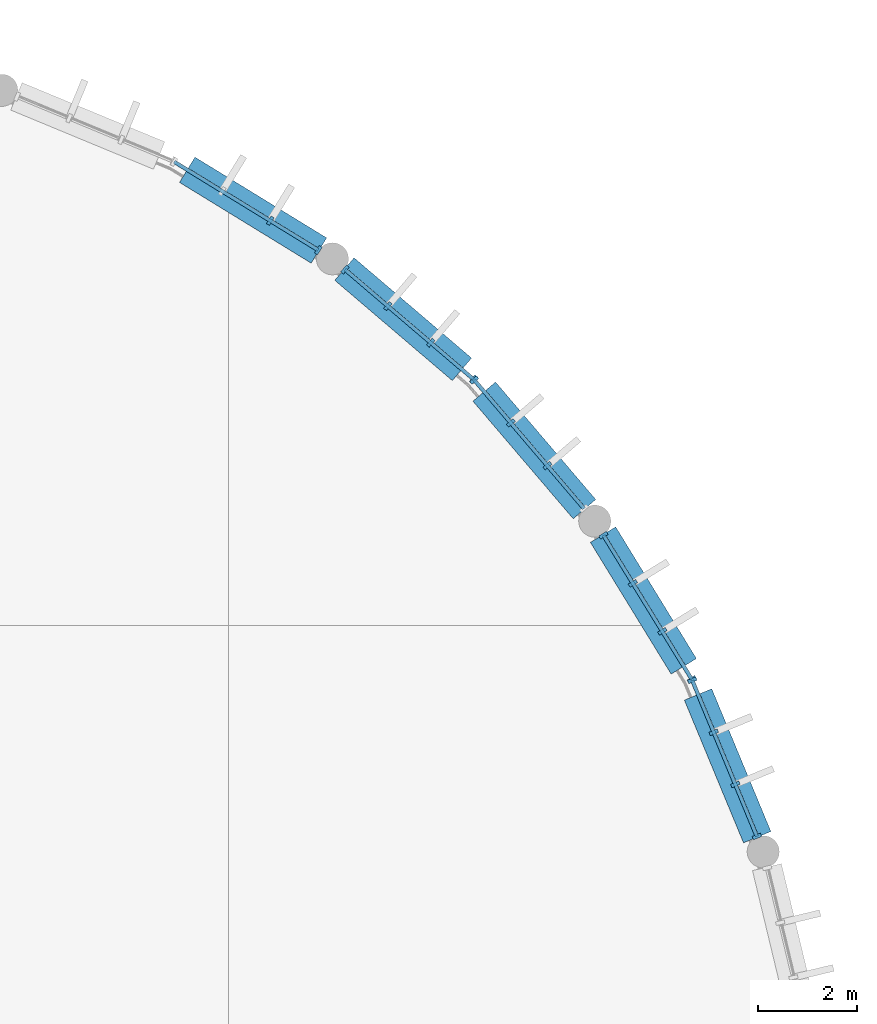
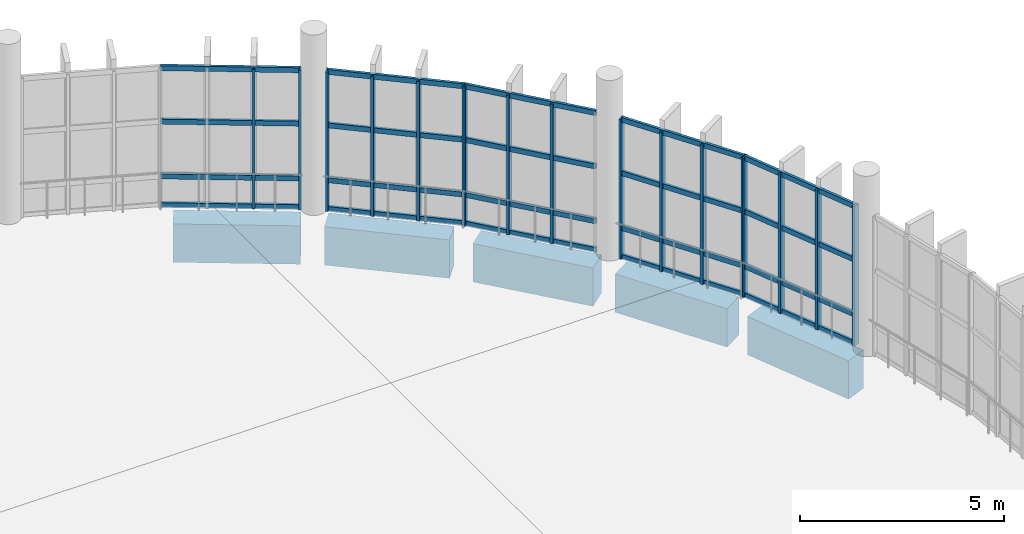
# One storey, part 57 of 112: 37 members, 5 beams, 5 elements without a shape of their own.
"""IFC4 building model written with IfcOpenShell, lengths in metres."""

from ifc_helpers import new_model, si_unit, direction, frame, origin, origin_2d, place, context, subcontext, project, spatial, rectangle, extrude, material, material_profile, profile_set, type_object, element, aggregate, save


model = new_model("IFC4")

# Units and contexts
model_context = context("Model", 3, precision=1e-05, world=origin(), true_north=direction((0.0, 1.0)))
body_context = subcontext(model_context, "Body", "Model", "MODEL_VIEW")
ifc_project = project(units=[si_unit("LENGTHUNIT", "METRE"), si_unit("AREAUNIT", "SQUARE_METRE"), si_unit("VOLUMEUNIT", "CUBIC_METRE"), si_unit("PLANEANGLEUNIT", "RADIAN"), si_unit("MASSUNIT", "GRAM", prefix="KILO")], contexts=[model_context])

# Site, building, storey
site_placement = place(None, origin())
site = spatial("IfcSite", under=ifc_project, at=site_placement, CompositionType="ELEMENT")
building_placement = place(site_placement, origin())
building = spatial("IfcBuilding", under=site, at=building_placement, Name="Kamomehara Wholesale Market", CompositionType="ELEMENT")
storey_placement = place(building_placement, frame((0.0, 0.0, 6.60009765625)))
storey = spatial("IfcBuildingStorey", under=building, at=storey_placement, Name="L01", CompositionType="ELEMENT", Elevation=6.60009765625)

# Beams
ifc_material_1 = material(Name="Concrete Fc36 (C35/45)", Category="concrete")
ifc_material_profile_1 = material_profile(ifc_material_1, rectangle(XDim=0.60009765625, YDim=1.14990234375, at=origin_2d()), Name="RC-SEB-600x1150")
ifc_profile_set_1 = profile_set([ifc_material_profile_1], Name="Concrete Fc36 (C35/45)")
beam_type = type_object("IfcBeamType", Name="BM-SEB1150-EXT", PredefinedType="SPANDREL", material=ifc_profile_set_1)
for number, where, z_axis, x_axis, name in (
    (1, (202.702880859375, 139.7119140625, -0.897216796875), (-0.382806979073, 0.923828348111, 0.0), (-0.923828348111, -0.382806979073, 0.0), "Beam SEB-02E L01"),
    (2, (201.217041015625, 143.1689453125, -0.897216796875), (-0.522706725773, 0.852512568137, 0.0), (-0.852512568137, -0.522706725773, 0.0), "Beam SEB-02E L01"),
):
    element("IfcBeam", number, at=place(storey_placement, frame(where, z_axis=z_axis, x_axis=x_axis)), inside=storey, type_object=beam_type, Name=name, PredefinedType="SPANDREL", context=body_context, shape_type="SweptSolid", body=[
        extrude(rectangle(XDim=0.60009765625, YDim=1.14990234375, at=origin_2d()), origin(), (0.0, 0.0, 1.0), 3.126220703125),
    ])
for number, where, z_axis, x_axis, name in (
    (3, (199.2080078125, 146.35009765625, -0.88720703125), (-0.649098180501, 0.760704641809, 0.0), (-0.760704641809, -0.649098180501, 0.0), "Beam SEB-02E L01"),
    (4, (196.72802734375, 149.178955078125, -0.88720703125), (-0.760704641809, 0.649098180501, 0.0), (-0.649098180501, -0.760704641809, 0.0), "Beam SEB-02E L01"),
):
    element("IfcBeam", number, at=place(storey_placement, frame(where, z_axis=z_axis, x_axis=x_axis)), inside=storey, type_object=beam_type, Name=name, PredefinedType="SPANDREL", context=body_context, shape_type="SweptSolid", body=[
        extrude(rectangle(XDim=0.60009765625, YDim=1.14990234375, at=origin_2d()), origin(), (0.0, 0.0, 1.0), 3.1259765625),
    ])
beam_placement = place(storey_placement, frame((193.833984375, 151.5830078125, -0.906982421875), z_axis=(-0.852512568137, 0.522706725773, 0.0), x_axis=(-0.522706725773, -0.852512568137, 0.0)))
element("IfcBeam", 5, at=beam_placement, inside=storey, type_object=beam_type, Name="Beam SEB-02E L01", PredefinedType="SPANDREL", context=body_context, shape_type="SweptSolid", body=[
    extrude(rectangle(XDim=0.60009765625, YDim=1.14990234375, at=origin_2d()), origin(), (0.0, 0.0, 1.0), 3.126220703125),
])

# Curtain wall, members
ifc_material_2 = material(Name="Anodised aluminium 6063-T5", Category="aluminium")
curtain_wall_type = type_object("IfcCurtainWallType", Name="CW-UN-05", PredefinedType="NOTDEFINED", material=ifc_material_2)
curtain_wall_1_placement = place(storey_placement, origin())
curtain_wall_1 = element("IfcCurtainWall", 6, at=curtain_wall_1_placement, inside=storey, type_object=curtain_wall_type, Name="Unitised curtain wall CW-100", PredefinedType="NOTDEFINED")
ifc_material_3 = material(Name="Anodised aluminium 6063-T5", Category="aluminium")
ifc_material_profile_2 = material_profile(ifc_material_3, rectangle(XDim=0.074951171875, YDim=0.179931640625, at=origin_2d()), Name="ALU-MUL-75x180")
ifc_profile_set_2 = profile_set([ifc_material_profile_2], Name="Anodised aluminium 6063-T5")
member_type_1 = type_object("IfcMemberType", Name="CW-MUL-180", PredefinedType="MULLION", material=ifc_profile_set_2)
member_1_placement = place(storey_placement, frame((192.84912109375, 152.18701171875, 0.0), z_axis=(0.0, 0.0, 1.0), x_axis=(0.852500608355, -0.522726231171, 0.0)))
member_1 = element("IfcMember", 7, at=member_1_placement, type_object=member_type_1, Name="Mullion CW-100.2", PredefinedType="MULLION", context=body_context, shape_type="SweptSolid", body=[
    extrude(rectangle(XDim=0.074951171875, YDim=0.179931640625, at=origin_2d()), origin(), (0.0, 0.0, 1.0), 4.179931640625),
])
member_2_placement = place(storey_placement, frame((193.821044921875, 151.591064453125, 0.0), z_axis=(0.0, 0.0, 1.0), x_axis=(0.852500608355, -0.522726231171, 0.0)))
member_2 = element("IfcMember", 8, at=member_2_placement, type_object=member_type_1, Name="Mullion CW-100.3", PredefinedType="MULLION", context=body_context, shape_type="SweptSolid", body=[
    extrude(rectangle(XDim=0.074951171875, YDim=0.179931640625, at=origin_2d()), origin(), (0.0, 0.0, 1.0), 4.179931640625),
])

curtain_wall_2_placement = place(storey_placement, origin())
curtain_wall_2 = element("IfcCurtainWall", 9, at=curtain_wall_2_placement, inside=storey, type_object=curtain_wall_type, Name="Unitised curtain wall CW-101", PredefinedType="NOTDEFINED")
member_3_placement = place(storey_placement, frame((194.362060546875, 151.197998046875, 0.0), z_axis=(0.0, 0.0, 1.0), x_axis=(0.760472838108, -0.649369742519, 0.0)))
member_3 = element("IfcMember", 10, at=member_3_placement, type_object=member_type_1, Name="Mullion CW-101.0", PredefinedType="MULLION", context=body_context, shape_type="SweptSolid", body=[
    extrude(rectangle(XDim=0.074951171875, YDim=0.179931640625, at=origin_2d()), origin(), (0.0, 0.0, 1.0), 4.179931640625),
])
member_4_placement = place(storey_placement, frame((195.22900390625, 150.4580078125, 0.0), z_axis=(0.0, 0.0, 1.0), x_axis=(0.760472838108, -0.649369742519, 0.0)))
member_4 = element("IfcMember", 11, at=member_4_placement, type_object=member_type_1, Name="Mullion CW-101.1", PredefinedType="MULLION", context=body_context, shape_type="SweptSolid", body=[
    extrude(rectangle(XDim=0.074951171875, YDim=0.179931640625, at=origin_2d()), origin(), (0.0, 0.0, 1.0), 4.179931640625),
])
member_5_placement = place(storey_placement, frame((196.095947265625, 149.717041015625, 0.0), z_axis=(0.0, 0.0, 1.0), x_axis=(0.760472838108, -0.649369742519, 0.0)))
member_5 = element("IfcMember", 12, at=member_5_placement, type_object=member_type_1, Name="Mullion CW-101.2", PredefinedType="MULLION", context=body_context, shape_type="SweptSolid", body=[
    extrude(rectangle(XDim=0.074951171875, YDim=0.179931640625, at=origin_2d()), origin(), (0.0, 0.0, 1.0), 4.179931640625),
])
member_6_placement = place(storey_placement, frame((196.962890625, 148.97705078125, 0.0), z_axis=(0.0, 0.0, 1.0), x_axis=(0.760472838108, -0.649369742519, 0.0)))
member_6 = element("IfcMember", 13, at=member_6_placement, type_object=member_type_1, Name="Mullion CW-101.3", PredefinedType="MULLION", context=body_context, shape_type="SweptSolid", body=[
    extrude(rectangle(XDim=0.074951171875, YDim=0.179931640625, at=origin_2d()), origin(), (0.0, 0.0, 1.0), 4.179931640625),
])

curtain_wall_3_placement = place(storey_placement, origin())
curtain_wall_3 = element("IfcCurtainWall", 14, at=curtain_wall_3_placement, inside=storey, type_object=curtain_wall_type, Name="Unitised curtain wall CW-102", PredefinedType="NOTDEFINED")
member_7_placement = place(storey_placement, frame((196.97705078125, 148.962890625, 0.0), z_axis=(0.0, 0.0, 1.0), x_axis=(0.649369742519, -0.760472838108, 0.0)))
member_7 = element("IfcMember", 15, at=member_7_placement, type_object=member_type_1, Name="Mullion CW-102.0", PredefinedType="MULLION", context=body_context, shape_type="SweptSolid", body=[
    extrude(rectangle(XDim=0.074951171875, YDim=0.179931640625, at=origin_2d()), origin(), (0.0, 0.0, 1.0), 4.179931640625),
])
member_8_placement = place(storey_placement, frame((197.717041015625, 148.095947265625, 0.0), z_axis=(0.0, 0.0, 1.0), x_axis=(0.649369742519, -0.760472838108, 0.0)))
member_8 = element("IfcMember", 16, at=member_8_placement, type_object=member_type_1, Name="Mullion CW-102.1", PredefinedType="MULLION", context=body_context, shape_type="SweptSolid", body=[
    extrude(rectangle(XDim=0.074951171875, YDim=0.179931640625, at=origin_2d()), origin(), (0.0, 0.0, 1.0), 4.179931640625),
])
member_9_placement = place(storey_placement, frame((198.4580078125, 147.22900390625, 0.0), z_axis=(0.0, 0.0, 1.0), x_axis=(0.649369742519, -0.760472838108, 0.0)))
member_9 = element("IfcMember", 17, at=member_9_placement, type_object=member_type_1, Name="Mullion CW-102.2", PredefinedType="MULLION", context=body_context, shape_type="SweptSolid", body=[
    extrude(rectangle(XDim=0.074951171875, YDim=0.179931640625, at=origin_2d()), origin(), (0.0, 0.0, 1.0), 4.179931640625),
])

curtain_wall_4_placement = place(storey_placement, origin())
curtain_wall_4 = element("IfcCurtainWall", 18, at=curtain_wall_4_placement, inside=storey, type_object=curtain_wall_type, Name="Unitised curtain wall CW-103", PredefinedType="NOTDEFINED")
member_10_placement = place(storey_placement, frame((199.591064453125, 145.821044921875, 0.0), z_axis=(0.0, 0.0, 1.0), x_axis=(0.522726231171, -0.852500608355, 0.0)))
member_10 = element("IfcMember", 19, at=member_10_placement, type_object=member_type_1, Name="Mullion CW-103.0", PredefinedType="MULLION", context=body_context, shape_type="SweptSolid", body=[
    extrude(rectangle(XDim=0.074951171875, YDim=0.179931640625, at=origin_2d()), origin(), (0.0, 0.0, 1.0), 4.179931640625),
])
member_11_placement = place(storey_placement, frame((200.18701171875, 144.84912109375, 0.0), z_axis=(0.0, 0.0, 1.0), x_axis=(0.522726231171, -0.852500608355, 0.0)))
member_11 = element("IfcMember", 20, at=member_11_placement, type_object=member_type_1, Name="Mullion CW-103.1", PredefinedType="MULLION", context=body_context, shape_type="SweptSolid", body=[
    extrude(rectangle(XDim=0.074951171875, YDim=0.179931640625, at=origin_2d()), origin(), (0.0, 0.0, 1.0), 4.179931640625),
])
member_12_placement = place(storey_placement, frame((200.782958984375, 143.876953125, 0.0), z_axis=(0.0, 0.0, 1.0), x_axis=(0.522726231171, -0.852500608355, 0.0)))
member_12 = element("IfcMember", 21, at=member_12_placement, type_object=member_type_1, Name="Mullion CW-103.2", PredefinedType="MULLION", context=body_context, shape_type="SweptSolid", body=[
    extrude(rectangle(XDim=0.074951171875, YDim=0.179931640625, at=origin_2d()), origin(), (0.0, 0.0, 1.0), 4.179931640625),
])
member_13_placement = place(storey_placement, frame((201.37890625, 142.905029296875, 0.0), z_axis=(0.0, 0.0, 1.0), x_axis=(0.522726231171, -0.852500608355, 0.0)))
member_13 = element("IfcMember", 22, at=member_13_placement, type_object=member_type_1, Name="Mullion CW-103.3", PredefinedType="MULLION", context=body_context, shape_type="SweptSolid", body=[
    extrude(rectangle(XDim=0.074951171875, YDim=0.179931640625, at=origin_2d()), origin(), (0.0, 0.0, 1.0), 4.179931640625),
])

curtain_wall_5_placement = place(storey_placement, origin())
curtain_wall_5 = element("IfcCurtainWall", 23, at=curtain_wall_5_placement, inside=storey, type_object=curtain_wall_type, Name="Unitised curtain wall CW-104", PredefinedType="NOTDEFINED")
member_14_placement = place(storey_placement, frame((201.387939453125, 142.886962890625, 0.0), z_axis=(0.0, 0.0, 1.0), x_axis=(0.382601194677, -0.923913592189, 0.0)))
member_14 = element("IfcMember", 24, at=member_14_placement, type_object=member_type_1, Name="Mullion CW-104.0", PredefinedType="MULLION", context=body_context, shape_type="SweptSolid", body=[
    extrude(rectangle(XDim=0.074951171875, YDim=0.179931640625, at=origin_2d()), origin(), (0.0, 0.0, 1.0), 4.179931640625),
])
member_15_placement = place(storey_placement, frame((201.823974609375, 141.8330078125, 0.0), z_axis=(0.0, 0.0, 1.0), x_axis=(0.382601194677, -0.923913592189, 0.0)))
member_15 = element("IfcMember", 25, at=member_15_placement, type_object=member_type_1, Name="Mullion CW-104.1", PredefinedType="MULLION", context=body_context, shape_type="SweptSolid", body=[
    extrude(rectangle(XDim=0.074951171875, YDim=0.179931640625, at=origin_2d()), origin(), (0.0, 0.0, 1.0), 4.179931640625),
])
member_16_placement = place(storey_placement, frame((202.260986328125, 140.780029296875, 0.0), z_axis=(0.0, 0.0, 1.0), x_axis=(0.382601194677, -0.923913592189, 0.0)))
member_16 = element("IfcMember", 26, at=member_16_placement, type_object=member_type_1, Name="Mullion CW-104.2", PredefinedType="MULLION", context=body_context, shape_type="SweptSolid", body=[
    extrude(rectangle(XDim=0.074951171875, YDim=0.179931640625, at=origin_2d()), origin(), (0.0, 0.0, 1.0), 4.179931640625),
])
member_17_placement = place(storey_placement, frame((202.697021484375, 139.72607421875, 0.0), z_axis=(0.0, 0.0, 1.0), x_axis=(0.382601194677, -0.923913592189, 0.0)))
member_17 = element("IfcMember", 27, at=member_17_placement, type_object=member_type_1, Name="Mullion CW-104.3", PredefinedType="MULLION", context=body_context, shape_type="SweptSolid", body=[
    extrude(rectangle(XDim=0.074951171875, YDim=0.179931640625, at=origin_2d()), origin(), (0.0, 0.0, 1.0), 4.179931640625),
])

# Member
ifc_material_4 = material(Name="Anodised aluminium 6063-T5", Category="aluminium")
ifc_material_profile_3 = material_profile(ifc_material_4, rectangle(XDim=0.074951171875, YDim=0.14990234375, at=origin_2d()), Name="ALU-TRN-75x150")
ifc_profile_set_3 = profile_set([ifc_material_profile_3], Name="Anodised aluminium 6063-T5")
member_type_2 = type_object("IfcMemberType", Name="CW-TRN-150", PredefinedType="USERDEFINED", material=ifc_profile_set_3)
member_18_placement = place(storey_placement, frame((190.905029296875, 153.37890625, 0.039794921875), z_axis=(0.852522253273, -0.522690929397, 0.0), x_axis=(0.522690929397, 0.852522253273, 0.0)))
member_18 = element("IfcMember", 28, at=member_18_placement, type_object=member_type_2, Name="Transom CW-100.0", ObjectType="TRANSOM", PredefinedType="USERDEFINED", context=body_context, shape_type="SweptSolid", body=[
    extrude(rectangle(XDim=0.074951171875, YDim=0.14990234375, at=origin_2d()), origin(), (0.0, 0.0, 1.0), 3.42041015625),
])

member_19_placement = place(storey_placement, frame((190.905029296875, 153.37890625, 0.89990234375), z_axis=(0.852522253273, -0.522690929397, 0.0), x_axis=(0.522690929397, 0.852522253273, 0.0)))
member_19 = element("IfcMember", 29, at=member_19_placement, type_object=member_type_2, Name="Transom CW-100.1", ObjectType="TRANSOM", PredefinedType="USERDEFINED", context=body_context, shape_type="SweptSolid", body=[
    extrude(rectangle(XDim=0.074951171875, YDim=0.14990234375, at=origin_2d()), origin(), (0.0, 0.0, 1.0), 3.42041015625),
])

member_20_placement = place(storey_placement, frame((190.905029296875, 153.37890625, 2.539794921875), z_axis=(0.852522253273, -0.522690929397, 0.0), x_axis=(0.522690929397, 0.852522253273, 0.0)))
member_20 = element("IfcMember", 30, at=member_20_placement, type_object=member_type_2, Name="Transom CW-100.2", ObjectType="TRANSOM", PredefinedType="USERDEFINED", context=body_context, shape_type="SweptSolid", body=[
    extrude(rectangle(XDim=0.074951171875, YDim=0.14990234375, at=origin_2d()), origin(), (0.0, 0.0, 1.0), 3.42041015625),
])

member_21_placement = place(storey_placement, frame((190.905029296875, 153.37890625, 4.139892578125), z_axis=(0.852522253273, -0.522690929397, 0.0), x_axis=(0.522690929397, 0.852522253273, 0.0)))
member_21 = element("IfcMember", 31, at=member_21_placement, type_object=member_type_2, Name="Transom CW-100.3", ObjectType="TRANSOM", PredefinedType="USERDEFINED", context=body_context, shape_type="SweptSolid", body=[
    extrude(rectangle(XDim=0.074951171875, YDim=0.14990234375, at=origin_2d()), origin(), (0.0, 0.0, 1.0), 3.42041015625),
])

aggregate(curtain_wall_1, [member_1, member_2, member_18, member_19, member_20, member_21])

member_22_placement = place(storey_placement, frame((194.362060546875, 151.197998046875, 0.039794921875), z_axis=(0.760459601697, -0.649385243278, 0.0), x_axis=(0.649385243278, 0.760459601697, 0.0)))
member_22 = element("IfcMember", 32, at=member_22_placement, type_object=member_type_2, Name="Transom CW-101.0", ObjectType="TRANSOM", PredefinedType="USERDEFINED", context=body_context, shape_type="SweptSolid", body=[
    extrude(rectangle(XDim=0.074951171875, YDim=0.14990234375, at=origin_2d()), origin(), (0.0, 0.0, 1.0), 3.420166015625),
])

member_23_placement = place(storey_placement, frame((194.362060546875, 151.197998046875, 0.89990234375), z_axis=(0.760459601697, -0.649385243278, 0.0), x_axis=(0.649385243278, 0.760459601697, 0.0)))
member_23 = element("IfcMember", 33, at=member_23_placement, type_object=member_type_2, Name="Transom CW-101.1", ObjectType="TRANSOM", PredefinedType="USERDEFINED", context=body_context, shape_type="SweptSolid", body=[
    extrude(rectangle(XDim=0.074951171875, YDim=0.14990234375, at=origin_2d()), origin(), (0.0, 0.0, 1.0), 3.420166015625),
])

member_24_placement = place(storey_placement, frame((194.362060546875, 151.197998046875, 2.539794921875), z_axis=(0.760459601697, -0.649385243278, 0.0), x_axis=(0.649385243278, 0.760459601697, 0.0)))
member_24 = element("IfcMember", 34, at=member_24_placement, type_object=member_type_2, Name="Transom CW-101.2", ObjectType="TRANSOM", PredefinedType="USERDEFINED", context=body_context, shape_type="SweptSolid", body=[
    extrude(rectangle(XDim=0.074951171875, YDim=0.14990234375, at=origin_2d()), origin(), (0.0, 0.0, 1.0), 3.420166015625),
])

member_25_placement = place(storey_placement, frame((194.362060546875, 151.197998046875, 4.139892578125), z_axis=(0.760459601697, -0.649385243278, 0.0), x_axis=(0.649385243278, 0.760459601697, 0.0)))
member_25 = element("IfcMember", 35, at=member_25_placement, type_object=member_type_2, Name="Transom CW-101.3", ObjectType="TRANSOM", PredefinedType="USERDEFINED", context=body_context, shape_type="SweptSolid", body=[
    extrude(rectangle(XDim=0.074951171875, YDim=0.14990234375, at=origin_2d()), origin(), (0.0, 0.0, 1.0), 3.420166015625),
])

aggregate(curtain_wall_2, [member_3, member_4, member_5, member_6, member_22, member_23, member_24, member_25])

member_26_placement = place(storey_placement, frame((196.97705078125, 148.962890625, 0.039794921875), z_axis=(0.649385243278, -0.760459601697, 0.0), x_axis=(0.760459601697, 0.649385243278, 0.0)))
member_26 = element("IfcMember", 36, at=member_26_placement, type_object=member_type_2, Name="Transom CW-102.0", ObjectType="TRANSOM", PredefinedType="USERDEFINED", context=body_context, shape_type="SweptSolid", body=[
    extrude(rectangle(XDim=0.074951171875, YDim=0.14990234375, at=origin_2d()), origin(), (0.0, 0.0, 1.0), 3.420166015625),
])

member_27_placement = place(storey_placement, frame((196.97705078125, 148.962890625, 0.89990234375), z_axis=(0.649385243278, -0.760459601697, 0.0), x_axis=(0.760459601697, 0.649385243278, 0.0)))
member_27 = element("IfcMember", 37, at=member_27_placement, type_object=member_type_2, Name="Transom CW-102.1", ObjectType="TRANSOM", PredefinedType="USERDEFINED", context=body_context, shape_type="SweptSolid", body=[
    extrude(rectangle(XDim=0.074951171875, YDim=0.14990234375, at=origin_2d()), origin(), (0.0, 0.0, 1.0), 3.420166015625),
])

member_28_placement = place(storey_placement, frame((196.97705078125, 148.962890625, 2.539794921875), z_axis=(0.649385243278, -0.760459601697, 0.0), x_axis=(0.760459601697, 0.649385243278, 0.0)))
member_28 = element("IfcMember", 38, at=member_28_placement, type_object=member_type_2, Name="Transom CW-102.2", ObjectType="TRANSOM", PredefinedType="USERDEFINED", context=body_context, shape_type="SweptSolid", body=[
    extrude(rectangle(XDim=0.074951171875, YDim=0.14990234375, at=origin_2d()), origin(), (0.0, 0.0, 1.0), 3.420166015625),
])

member_29_placement = place(storey_placement, frame((196.97705078125, 148.962890625, 4.139892578125), z_axis=(0.649385243278, -0.760459601697, 0.0), x_axis=(0.760459601697, 0.649385243278, 0.0)))
member_29 = element("IfcMember", 39, at=member_29_placement, type_object=member_type_2, Name="Transom CW-102.3", ObjectType="TRANSOM", PredefinedType="USERDEFINED", context=body_context, shape_type="SweptSolid", body=[
    extrude(rectangle(XDim=0.074951171875, YDim=0.14990234375, at=origin_2d()), origin(), (0.0, 0.0, 1.0), 3.420166015625),
])

aggregate(curtain_wall_3, [member_7, member_8, member_9, member_26, member_27, member_28, member_29])

member_30_placement = place(storey_placement, frame((199.591064453125, 145.821044921875, 0.039794921875), z_axis=(0.522690929397, -0.852522253273, 0.0), x_axis=(0.852522253273, 0.522690929397, 0.0)))
member_30 = element("IfcMember", 40, at=member_30_placement, type_object=member_type_2, Name="Transom CW-103.0", ObjectType="TRANSOM", PredefinedType="USERDEFINED", context=body_context, shape_type="SweptSolid", body=[
    extrude(rectangle(XDim=0.074951171875, YDim=0.14990234375, at=origin_2d()), origin(), (0.0, 0.0, 1.0), 3.42041015625),
])

member_31_placement = place(storey_placement, frame((199.591064453125, 145.821044921875, 0.89990234375), z_axis=(0.522690929397, -0.852522253273, 0.0), x_axis=(0.852522253273, 0.522690929397, 0.0)))
member_31 = element("IfcMember", 41, at=member_31_placement, type_object=member_type_2, Name="Transom CW-103.1", ObjectType="TRANSOM", PredefinedType="USERDEFINED", context=body_context, shape_type="SweptSolid", body=[
    extrude(rectangle(XDim=0.074951171875, YDim=0.14990234375, at=origin_2d()), origin(), (0.0, 0.0, 1.0), 3.42041015625),
])

member_32_placement = place(storey_placement, frame((199.591064453125, 145.821044921875, 2.539794921875), z_axis=(0.522690929397, -0.852522253273, 0.0), x_axis=(0.852522253273, 0.522690929397, 0.0)))
member_32 = element("IfcMember", 42, at=member_32_placement, type_object=member_type_2, Name="Transom CW-103.2", ObjectType="TRANSOM", PredefinedType="USERDEFINED", context=body_context, shape_type="SweptSolid", body=[
    extrude(rectangle(XDim=0.074951171875, YDim=0.14990234375, at=origin_2d()), origin(), (0.0, 0.0, 1.0), 3.42041015625),
])

member_33_placement = place(storey_placement, frame((199.591064453125, 145.821044921875, 4.139892578125), z_axis=(0.522690929397, -0.852522253273, 0.0), x_axis=(0.852522253273, 0.522690929397, 0.0)))
member_33 = element("IfcMember", 43, at=member_33_placement, type_object=member_type_2, Name="Transom CW-103.3", ObjectType="TRANSOM", PredefinedType="USERDEFINED", context=body_context, shape_type="SweptSolid", body=[
    extrude(rectangle(XDim=0.074951171875, YDim=0.14990234375, at=origin_2d()), origin(), (0.0, 0.0, 1.0), 3.42041015625),
])

aggregate(curtain_wall_4, [member_10, member_11, member_12, member_13, member_30, member_31, member_32, member_33])

member_34_placement = place(storey_placement, frame((201.387939453125, 142.886962890625, 0.039794921875), z_axis=(0.382633303581, -0.92390029494, 0.0), x_axis=(0.92390029494, 0.382633303581, 0.0)))
member_34 = element("IfcMember", 44, at=member_34_placement, type_object=member_type_2, Name="Transom CW-104.0", ObjectType="TRANSOM", PredefinedType="USERDEFINED", context=body_context, shape_type="SweptSolid", body=[
    extrude(rectangle(XDim=0.074951171875, YDim=0.14990234375, at=origin_2d()), origin(), (0.0, 0.0, 1.0), 3.421142578125),
])

member_35_placement = place(storey_placement, frame((201.387939453125, 142.886962890625, 0.89990234375), z_axis=(0.382633303581, -0.92390029494, 0.0), x_axis=(0.92390029494, 0.382633303581, 0.0)))
member_35 = element("IfcMember", 45, at=member_35_placement, type_object=member_type_2, Name="Transom CW-104.1", ObjectType="TRANSOM", PredefinedType="USERDEFINED", context=body_context, shape_type="SweptSolid", body=[
    extrude(rectangle(XDim=0.074951171875, YDim=0.14990234375, at=origin_2d()), origin(), (0.0, 0.0, 1.0), 3.421142578125),
])

member_36_placement = place(storey_placement, frame((201.387939453125, 142.886962890625, 2.539794921875), z_axis=(0.382633303581, -0.92390029494, 0.0), x_axis=(0.92390029494, 0.382633303581, 0.0)))
member_36 = element("IfcMember", 46, at=member_36_placement, type_object=member_type_2, Name="Transom CW-104.2", ObjectType="TRANSOM", PredefinedType="USERDEFINED", context=body_context, shape_type="SweptSolid", body=[
    extrude(rectangle(XDim=0.074951171875, YDim=0.14990234375, at=origin_2d()), origin(), (0.0, 0.0, 1.0), 3.421142578125),
])

member_37_placement = place(storey_placement, frame((201.387939453125, 142.886962890625, 4.139892578125), z_axis=(0.382633303581, -0.92390029494, 0.0), x_axis=(0.92390029494, 0.382633303581, 0.0)))
member_37 = element("IfcMember", 47, at=member_37_placement, type_object=member_type_2, Name="Transom CW-104.3", ObjectType="TRANSOM", PredefinedType="USERDEFINED", context=body_context, shape_type="SweptSolid", body=[
    extrude(rectangle(XDim=0.074951171875, YDim=0.14990234375, at=origin_2d()), origin(), (0.0, 0.0, 1.0), 3.421142578125),
])

aggregate(curtain_wall_5, [member_14, member_15, member_16, member_17, member_34, member_35, member_36, member_37])

save(model, "model.ifc")
